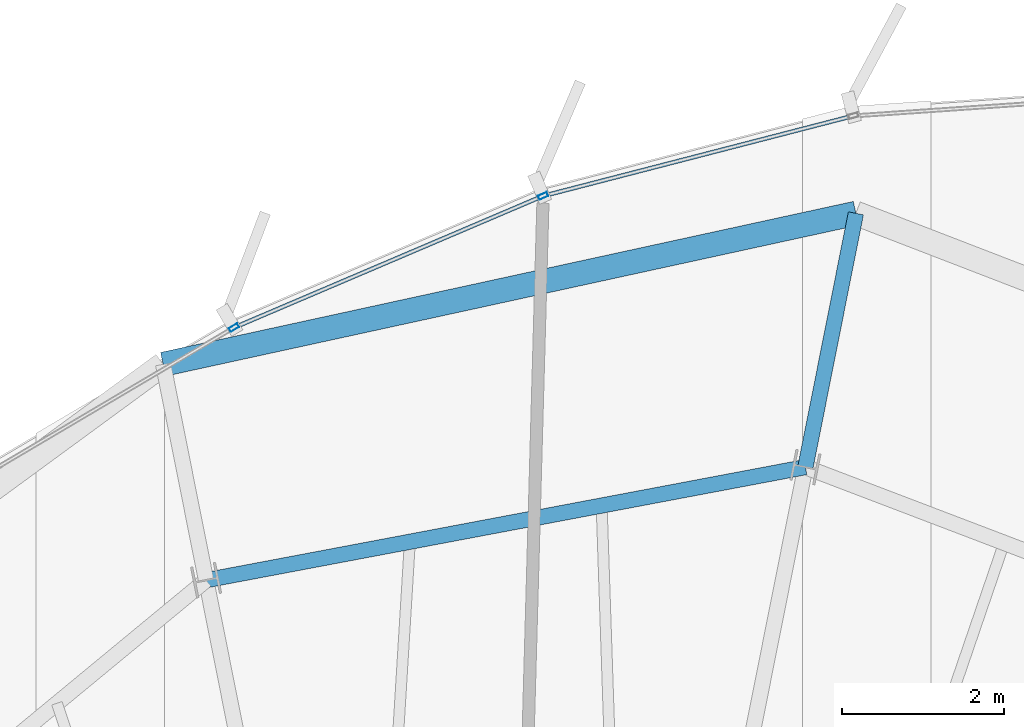
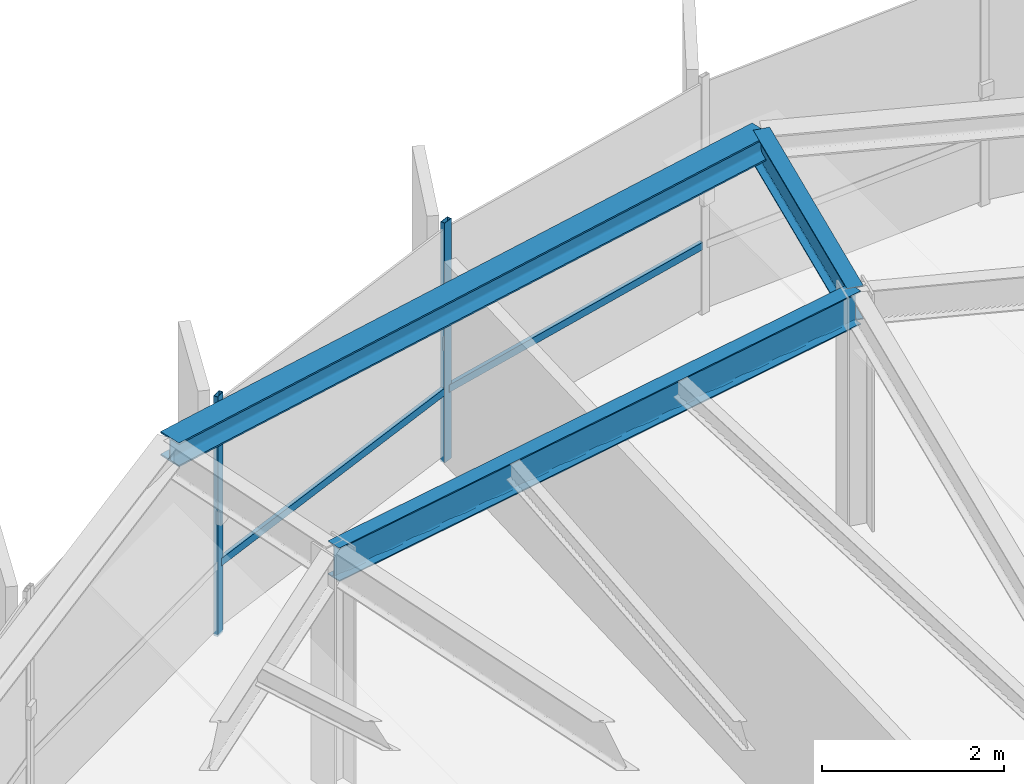
# One storey, part 21 of 34: 4 members, 3 beams, 1 element without a shape of its own.
"""IFC4 building model written with IfcOpenShell, lengths in metres."""

from ifc_helpers import new_model, si_unit, direction, frame, origin, origin_2d, place, context, subcontext, project, spatial, hollow_rectangle, i_section, extrude, source, transform, mapped, material, layer, layer_set, material_profile, profile_set, type_object, element, aggregate, save


model = new_model("IFC4")

# Units and contexts
model_context = context("Model", 3, precision=1e-05, world=origin(), true_north=direction((0.0, 1.0)))
body_context = subcontext(model_context, "Body", "Model", "MODEL_VIEW")
ifc_project = project(units=[si_unit("LENGTHUNIT", "METRE"), si_unit("AREAUNIT", "SQUARE_METRE"), si_unit("VOLUMEUNIT", "CUBIC_METRE"), si_unit("PLANEANGLEUNIT", "RADIAN"), si_unit("MASSUNIT", "GRAM", prefix="KILO"), si_unit("THERMODYNAMICTEMPERATUREUNIT", "KELVIN")], contexts=[model_context])

# Site, building, storey
site_placement = place(None, origin())
site = spatial("IfcSite", under=ifc_project, at=site_placement, CompositionType="ELEMENT")
building_placement = place(site_placement, origin())
building = spatial("IfcBuilding", under=site, at=building_placement, Name="Kethvar Cultural Tower", CompositionType="ELEMENT")
storey_placement = place(building_placement, frame((0.0, 0.0, 262.89990234375)))
storey = spatial("IfcBuildingStorey", under=building, at=storey_placement, Name="L69", CompositionType="ELEMENT", Elevation=262.89990234375)

# Beams
ifc_material_1 = material(Name="Steel S355J2", Category="steel")
ifc_material_profile_1 = material_profile(ifc_material_1, i_section(OverallWidth=0.18994140625, OverallDepth=0.449951171875, WebThickness=0.009521484375, FlangeThickness=0.0146484375, FilletRadius=0.02099609375, at=origin_2d()), Name="Steel S355J2 — IPE450")
ifc_profile_set_1 = profile_set([ifc_material_profile_1], Name="Steel S355J2 — IPE450")
beam_type_1 = type_object("IfcBeamType", Name="BM-IPE450", PredefinedType="BEAM", material=ifc_profile_set_1)
shared_shape_1 = source(origin(), body_context, "Body", "SweptSolid", [
    extrude(i_section(OverallWidth=0.18994140625, OverallDepth=0.449951171875, WebThickness=0.009521484375, FlangeThickness=0.0146484375, FilletRadius=0.02099609375, at=origin_2d()), origin(), (0.0, 0.0, 1.0), 3.199951171875),
])
beam_1_placement = place(storey_placement, frame((50.645263671875, 47.131591796875, 2.983154296875), z_axis=(0.195088965533, 0.980785550224, 0.0), x_axis=(-0.980785550224, 0.195088965533, 0.0)))
element("IfcBeam", 1, at=beam_1_placement, inside=storey, type_object=beam_type_1, Name="L69 Perimeter Cantilever Beam RC-04", PredefinedType="BEAM", context=body_context, shape_type="MappedRepresentation", body=[
    mapped(shared_shape_1, transform((0.0, 0.0, 0.0), scale=1.0)),
])
shared_shape_2 = source(origin(), body_context, "Body", "SweptSolid", [
    extrude(i_section(OverallWidth=0.18994140625, OverallDepth=0.449951171875, WebThickness=0.009521484375, FlangeThickness=0.0146484375, FilletRadius=0.02099609375, at=origin_2d()), origin(), (0.0, 0.0, 1.0), 7.543212890625),
])
beam_2_placement = place(storey_placement, frame((50.645263671875, 47.131591796875, 2.983154296875), z_axis=(-0.982646853086, -0.185486285532, 0.0), x_axis=(0.185486285532, -0.982646853086, 0.0)))
element("IfcBeam", 2, at=beam_2_placement, inside=storey, type_object=beam_type_1, Name="L69 Column Ring Tie Beam CR-04", PredefinedType="BEAM", context=body_context, shape_type="MappedRepresentation", body=[
    mapped(shared_shape_2, transform((0.0, 0.0, 0.0), scale=1.0)),
])
ifc_material_profile_2 = material_profile(ifc_material_1, i_section(OverallWidth=0.300048828125, OverallDepth=0.320068359375, WebThickness=0.011474609375, FlangeThickness=0.0205078125, FilletRadius=0.027099609375, at=origin_2d()), Name="Steel S355J2 — HEB320")
ifc_profile_set_2 = profile_set([ifc_material_profile_2], Name="Steel S355J2 — HEB320")
beam_type_2 = type_object("IfcBeamType", Name="BM-SP320", PredefinedType="SPANDREL", material=ifc_profile_set_2)
shared_shape_3 = source(origin(), body_context, "Body", "SweptSolid", [
    extrude(i_section(OverallWidth=0.300048828125, OverallDepth=0.320068359375, WebThickness=0.011474609375, FlangeThickness=0.0205078125, FilletRadius=0.027099609375, at=origin_2d()), origin(), (0.0, 0.0, 1.0), 8.768798828125),
])
beam_3_placement = place(storey_placement, frame((51.26953125, 50.27001953125, 3.048095703125), z_axis=(-0.977072973209, -0.212904685306, 0.0), x_axis=(0.212904685306, -0.977072973209, 0.0)))
element("IfcBeam", 3, at=beam_3_placement, inside=storey, type_object=beam_type_2, Name="L69 Perimeter Spandrel Beam SP-04", PredefinedType="SPANDREL", context=body_context, shape_type="MappedRepresentation", body=[
    mapped(shared_shape_3, transform((0.0, 0.0, 0.0), scale=1.0)),
])

# Curtain wall, members
ifc_material_2 = material(Name="Aluminium 6063-T6", Category="aluminium")
ifc_layer = layer(ifc_material_2, 0.179931640625, Name="Aluminium 6063-T6", Category="aluminium")
ifc_layer_set = layer_set([ifc_layer], Name="Aluminium 6063-T6 (180 mm)")
curtain_wall_type = type_object("IfcCurtainWallType", Name="CW-SYS-05-Z56", PredefinedType="NOTDEFINED", material=ifc_layer_set)
curtain_wall_placement = place(storey_placement, origin())
curtain_wall = element("IfcCurtainWall", 4, at=curtain_wall_placement, inside=storey, type_object=curtain_wall_type, Name="L69 Curtain Wall Run 01", PredefinedType="NOTDEFINED")
ifc_material_profile_3 = material_profile(ifc_material_2, hollow_rectangle(XDim=0.054931640625, YDim=0.1201171875, WallThickness=0.00390625, at=origin_2d()), Name="Aluminium 6063-T6 — RHS120x55x4")
ifc_profile_set_3 = profile_set([ifc_material_profile_3], Name="Aluminium 6063-T6 — RHS120x55x4")
member_type_1 = type_object("IfcMemberType", Name="CW-SYS-05-Z56-MUL", PredefinedType="MULLION", material=ifc_profile_set_3)
shared_shape_4 = source(origin(), body_context, "Body", "SweptSolid", [
    extrude(hollow_rectangle(XDim=0.054931640625, YDim=0.1201171875, WallThickness=0.00390625, at=origin_2d()), origin(), (0.0, 0.0, 1.0), 3.210205078125),
])
member_1_placement = place(storey_placement, frame((47.401123046875, 50.485595703125, 0.0), z_axis=(0.0, 0.0, 1.0), x_axis=(0.392096294456, -0.919924179416, 0.0)))
member_1 = element("IfcMember", 5, at=member_1_placement, type_object=member_type_1, Name="CW-L69-R01 Mullion 5", PredefinedType="MULLION", context=body_context, shape_type="MappedRepresentation", body=[
    mapped(shared_shape_4, transform((0.0, 0.0, 0.0), scale=1.0)),
])
member_2_placement = place(storey_placement, frame((43.57763671875, 48.85693359375, 0.0), z_axis=(0.0, 0.0, 1.0), x_axis=(0.508695850751, -0.860946299968, 0.0)))
member_2 = element("IfcMember", 6, at=member_2_placement, type_object=member_type_1, Name="CW-L69-R01 Mullion 6", PredefinedType="MULLION", context=body_context, shape_type="MappedRepresentation", body=[
    mapped(shared_shape_4, transform((0.0, 0.0, 0.0), scale=1.0)),
])
ifc_material_profile_4 = material_profile(ifc_material_2, hollow_rectangle(XDim=0.050048828125, YDim=0.10009765625, WallThickness=0.00390625, at=origin_2d()), Name="Aluminium 6063-T6 — RHS100x50x4")
ifc_profile_set_4 = profile_set([ifc_material_profile_4], Name="Aluminium 6063-T6 — RHS100x50x4")
member_type_2 = type_object("IfcMemberType", Name="CW-SYS-05-Z56-TRN", PredefinedType="USERDEFINED", material=ifc_profile_set_4)
shared_shape_5 = source(origin(), body_context, "Body", "SweptSolid", [
    extrude(hollow_rectangle(XDim=0.050048828125, YDim=0.10009765625, WallThickness=0.00390625, at=origin_2d()), origin(), (0.0, 0.0, 1.0), 3.900146484375),
])
member_3_placement = place(storey_placement, frame((51.201416015625, 51.466552734375, 0.9501953125), z_axis=(-0.968193724985, -0.2502017404, 0.0), x_axis=(0.2502017404, -0.968193724985, 0.0)))
member_3 = element("IfcMember", 7, at=member_3_placement, type_object=member_type_2, Name="CW-L69-R01 Transom 4", ObjectType="TRANSOM", PredefinedType="USERDEFINED", context=body_context, shape_type="MappedRepresentation", body=[
    mapped(shared_shape_5, transform((0.0, 0.0, 0.0), scale=1.0)),
])
shared_shape_6 = source(origin(), body_context, "Body", "SweptSolid", [
    extrude(hollow_rectangle(XDim=0.050048828125, YDim=0.10009765625, WallThickness=0.00390625, at=origin_2d()), origin(), (0.0, 0.0, 1.0), 4.08984375),
])
member_4_placement = place(storey_placement, frame((47.36474609375, 50.47021484375, 0.9501953125), z_axis=(-0.919936677154, -0.392066971355, 0.0), x_axis=(0.392066971355, -0.919936677154, 0.0)))
member_4 = element("IfcMember", 8, at=member_4_placement, type_object=member_type_2, Name="CW-L69-R01 Transom 5", ObjectType="TRANSOM", PredefinedType="USERDEFINED", context=body_context, shape_type="MappedRepresentation", body=[
    mapped(shared_shape_6, transform((0.0, 0.0, 0.0), scale=1.0)),
])
aggregate(curtain_wall, [member_1, member_2, member_3, member_4])

save(model, "model.ifc")
